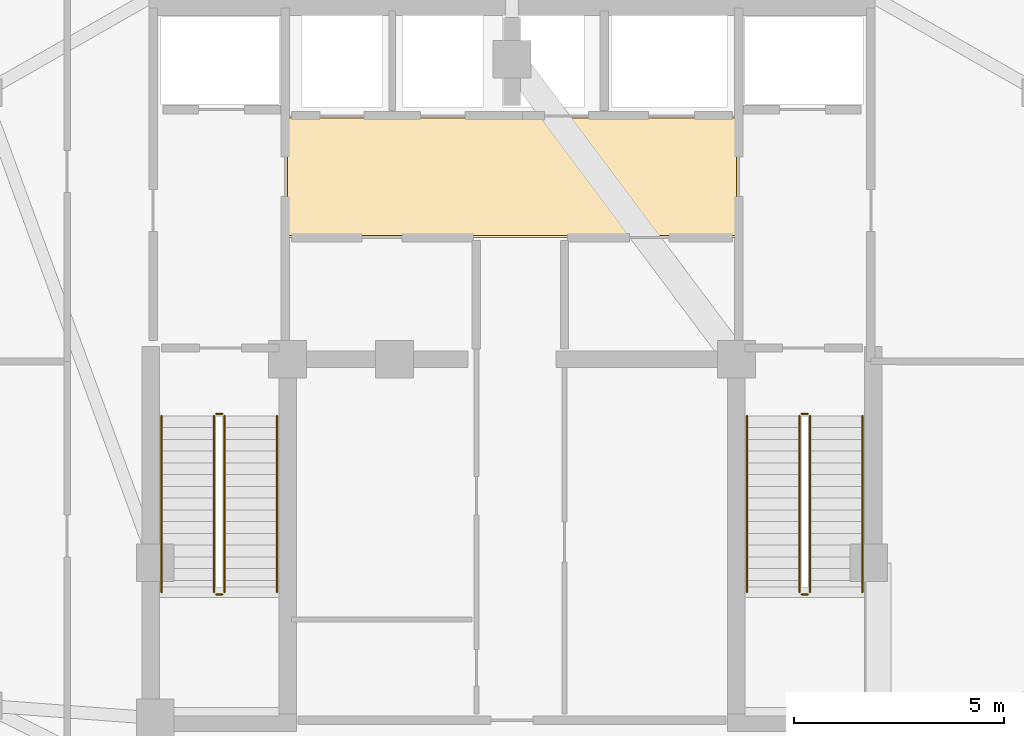
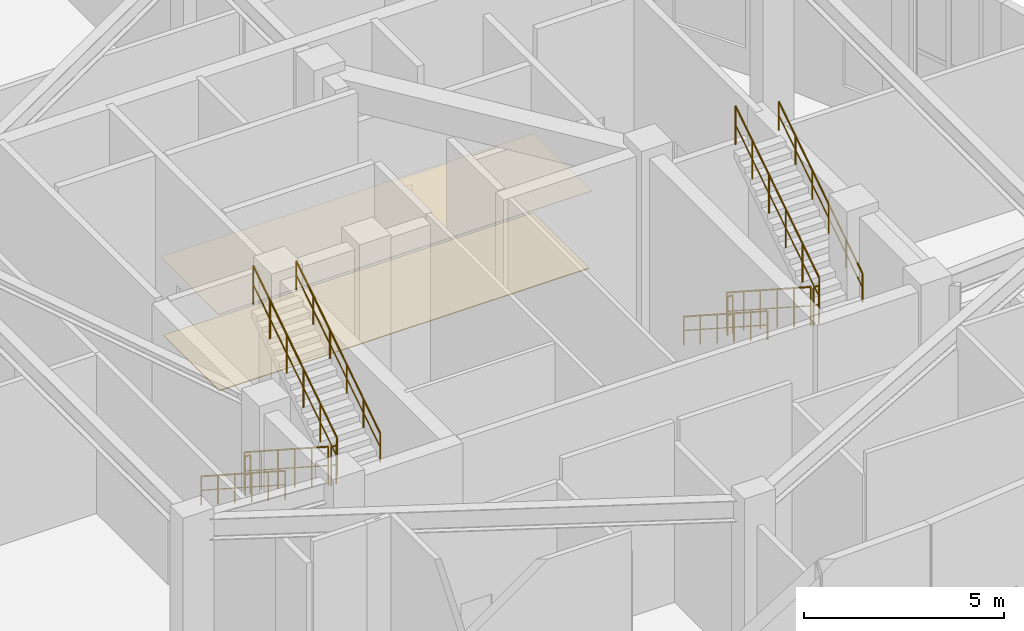
# One storey, part 16 of 16: 12 railings, 2 coverings.
"""IFC4 building model written with IfcOpenShell, lengths in metres."""

from ifc_helpers import new_model, si_unit, direction, frame, origin, origin_2d, place, context, subcontext, project, spatial, polyline, circle, outline, extrude, material, layer, layer_set, type_object, element, save


model = new_model("IFC4")

# Units and contexts
model_context = context("Model", 3, precision=1e-05, world=origin(), true_north=direction((0.0, 1.0)))
body_context = subcontext(model_context, "Body", "Model", "MODEL_VIEW")
ifc_project = project(units=[si_unit("LENGTHUNIT", "METRE"), si_unit("AREAUNIT", "SQUARE_METRE"), si_unit("VOLUMEUNIT", "CUBIC_METRE"), si_unit("PLANEANGLEUNIT", "RADIAN"), si_unit("MASSUNIT", "GRAM", prefix="KILO")], contexts=[model_context])

# Site, building, storey
site_placement = place(None, origin())
site = spatial("IfcSite", under=ifc_project, at=site_placement, CompositionType="ELEMENT")
building_placement = place(site_placement, origin())
building = spatial("IfcBuilding", under=site, at=building_placement, Name="Miruveldt Soraemaru", CompositionType="ELEMENT")
storey_placement = place(building_placement, frame((0.0, 0.0, 289.60009765625)))
storey = spatial("IfcBuildingStorey", under=building, at=storey_placement, Name="L78", CompositionType="ELEMENT", Elevation=289.60009765625)

# Coverings
ifc_material_1 = material(Name="Gypsum plasterboard lining", Category="gypsum")
ifc_layer_1 = layer(ifc_material_1, 0.02001953125, Name="Gypsum plasterboard lining", Category="gypsum")
ifc_layer_set_1 = layer_set([ifc_layer_1], Name="Gypsum plasterboard lining")
covering_type_1 = type_object("IfcCoveringType", Name="COV-CEIL-AC", PredefinedType="CEILING", material=ifc_layer_set_1)
covering_1_placement = place(storey_placement, frame((0.0, 0.0, 2.3798828125)))
element("IfcCovering", 1, at=covering_1_placement, inside=storey, type_object=covering_type_1, Name="L78 Lift Lobby Acoustic Ceiling", PredefinedType="CEILING", context=body_context, shape_type="SweptSolid", body=[
    extrude(outline(polyline([(38.60009765625, 46.949951171875), (49.39990234375, 46.949951171875), (49.39990234375, 49.85009765625), (38.60009765625, 49.85009765625), (38.60009765625, 46.949951171875)])), origin(), (0.0, 0.0, 1.0), 0.02001953125),
])
ifc_material_2 = material(Name="Precast concrete C45/55 (45 MPa)", Category="concrete")
ifc_layer_2 = layer(ifc_material_2, 0.02490234375, Name="Precast concrete C45/55 (45 MPa)", Category="concrete")
ifc_layer_set_2 = layer_set([ifc_layer_2], Name="Precast concrete C45/55 (45 MPa)")
covering_type_2 = type_object("IfcCoveringType", Name="COV-FLOR-ST", PredefinedType="FLOORING", material=ifc_layer_set_2)
covering_2_placement = place(storey_placement, origin())
element("IfcCovering", 2, at=covering_2_placement, inside=storey, type_object=covering_type_2, Name="L78 Lift Lobby Stone Flooring", PredefinedType="FLOORING", context=body_context, shape_type="SweptSolid", body=[
    extrude(outline(polyline([(38.64990234375, 47.0), (49.35009765625, 47.0), (49.35009765625, 49.800048828125), (38.64990234375, 49.800048828125), (38.64990234375, 47.0)])), origin(), (0.0, 0.0, 1.0), 0.02490234375),
])

# Railings
ifc_material_3 = material(Name="Steel S355 (355 MPa)", Category="steel")
railing_type_1 = type_object("IfcRailingType", Name="RAIL-HR-900", PredefinedType="HANDRAIL", material=ifc_material_3)
railing_1_placement = place(storey_placement, frame((35.64990234375, 42.699951171875, 0.18115234375)))
element("IfcRailing", 3, at=railing_1_placement, inside=storey, type_object=railing_type_1, Name="L78 ST-1 stair handrail 1", PredefinedType="HANDRAIL", context=body_context, shape_type="SweptSolid", body=[
    extrude(circle(Radius=0.02392578125, at=origin_2d()), frame((0.0, 0.0, 0.8759765625), z_axis=(0.0, -0.839466714631, 0.543411110511), x_axis=(1.0, 0.0, 0.0)), (0.0, 0.0, 1.0), 5.003173828125),
    extrude(circle(Radius=0.01611328125, at=origin_2d()), frame((0.0, 0.0, 0.449951171875), z_axis=(0.0, -0.839466714631, 0.543411110511), x_axis=(1.0, 0.0, 0.0)), (0.0, 0.0, 1.0), 5.003173828125),
    extrude(circle(Radius=0.02099609375, at=origin_2d()), origin(), (0.0, 0.0, 1.0), 0.851806640625),
    extrude(circle(Radius=0.02099609375, at=origin_2d()), frame((0.0, -0.840087890625, 0.543701171875)), (0.0, 0.0, 1.0), 0.851806640625),
    extrude(circle(Radius=0.02099609375, at=origin_2d()), frame((0.0, -1.679931640625, 1.08740234375)), (0.0, 0.0, 1.0), 0.851806640625),
    extrude(circle(Radius=0.02099609375, at=origin_2d()), frame((0.0, -2.52001953125, 1.63134765625)), (0.0, 0.0, 1.0), 0.851806640625),
    extrude(circle(Radius=0.02099609375, at=origin_2d()), frame((0.0, -3.35986328125, 2.175048828125)), (0.0, 0.0, 1.0), 0.851806640625),
    extrude(circle(Radius=0.02099609375, at=origin_2d()), frame((0.0, -4.199951171875, 2.71875)), (0.0, 0.0, 1.0), 0.851806640625),
])
railing_2_placement = place(storey_placement, frame((38.39990234375, 38.5, 3.0810546875)))
element("IfcRailing", 4, at=railing_2_placement, inside=storey, type_object=railing_type_1, Name="L78 ST-1 stair handrail 2", PredefinedType="HANDRAIL", context=body_context, shape_type="SweptSolid", body=[
    extrude(circle(Radius=0.02392578125, at=origin_2d()), frame((0.0, 0.0, 0.8759765625), z_axis=(0.0, 0.839466714631, 0.543411110511), x_axis=(-1.0, 0.0, 0.0)), (0.0, 0.0, 1.0), 5.003173828125),
    extrude(circle(Radius=0.01611328125, at=origin_2d()), frame((0.0, 0.0, 0.449951171875), z_axis=(0.0, 0.839466714631, 0.543411110511), x_axis=(-1.0, 0.0, 0.0)), (0.0, 0.0, 1.0), 5.003173828125),
    extrude(circle(Radius=0.02099609375, at=origin_2d()), origin(), (0.0, 0.0, 1.0), 0.851806640625),
    extrude(circle(Radius=0.02099609375, at=origin_2d()), frame((0.0, 0.840087890625, 0.543701171875)), (0.0, 0.0, 1.0), 0.851806640625),
    extrude(circle(Radius=0.02099609375, at=origin_2d()), frame((0.0, 1.679931640625, 1.08740234375)), (0.0, 0.0, 1.0), 0.851806640625),
    extrude(circle(Radius=0.02099609375, at=origin_2d()), frame((0.0, 2.52001953125, 1.63134765625)), (0.0, 0.0, 1.0), 0.851806640625),
    extrude(circle(Radius=0.02099609375, at=origin_2d()), frame((0.0, 3.35986328125, 2.175048828125)), (0.0, 0.0, 1.0), 0.851806640625),
    extrude(circle(Radius=0.02099609375, at=origin_2d()), frame((0.0, 4.199951171875, 2.71875)), (0.0, 0.0, 1.0), 0.851806640625),
])
railing_3_placement = place(storey_placement, frame((49.60009765625, 42.699951171875, 0.18115234375)))
element("IfcRailing", 5, at=railing_3_placement, inside=storey, type_object=railing_type_1, Name="L78 ST-2 stair handrail 1", PredefinedType="HANDRAIL", context=body_context, shape_type="SweptSolid", body=[
    extrude(circle(Radius=0.02392578125, at=origin_2d()), frame((0.0, 0.0, 0.8759765625), z_axis=(0.0, -0.839466714631, 0.543411110511), x_axis=(1.0, 0.0, 0.0)), (0.0, 0.0, 1.0), 5.003173828125),
    extrude(circle(Radius=0.01611328125, at=origin_2d()), frame((0.0, 0.0, 0.449951171875), z_axis=(0.0, -0.839466714631, 0.543411110511), x_axis=(1.0, 0.0, 0.0)), (0.0, 0.0, 1.0), 5.003173828125),
    extrude(circle(Radius=0.02099609375, at=origin_2d()), origin(), (0.0, 0.0, 1.0), 0.851806640625),
    extrude(circle(Radius=0.02099609375, at=origin_2d()), frame((0.0, -0.840087890625, 0.543701171875)), (0.0, 0.0, 1.0), 0.851806640625),
    extrude(circle(Radius=0.02099609375, at=origin_2d()), frame((0.0, -1.679931640625, 1.08740234375)), (0.0, 0.0, 1.0), 0.851806640625),
    extrude(circle(Radius=0.02099609375, at=origin_2d()), frame((0.0, -2.52001953125, 1.63134765625)), (0.0, 0.0, 1.0), 0.851806640625),
    extrude(circle(Radius=0.02099609375, at=origin_2d()), frame((0.0, -3.35986328125, 2.175048828125)), (0.0, 0.0, 1.0), 0.851806640625),
    extrude(circle(Radius=0.02099609375, at=origin_2d()), frame((0.0, -4.199951171875, 2.71875)), (0.0, 0.0, 1.0), 0.851806640625),
])
railing_4_placement = place(storey_placement, frame((52.35009765625, 38.5, 3.0810546875)))
element("IfcRailing", 6, at=railing_4_placement, inside=storey, type_object=railing_type_1, Name="L78 ST-2 stair handrail 2", PredefinedType="HANDRAIL", context=body_context, shape_type="SweptSolid", body=[
    extrude(circle(Radius=0.02392578125, at=origin_2d()), frame((0.0, 0.0, 0.8759765625), z_axis=(0.0, 0.839466714631, 0.543411110511), x_axis=(-1.0, 0.0, 0.0)), (0.0, 0.0, 1.0), 5.003173828125),
    extrude(circle(Radius=0.01611328125, at=origin_2d()), frame((0.0, 0.0, 0.449951171875), z_axis=(0.0, 0.839466714631, 0.543411110511), x_axis=(-1.0, 0.0, 0.0)), (0.0, 0.0, 1.0), 5.003173828125),
    extrude(circle(Radius=0.02099609375, at=origin_2d()), origin(), (0.0, 0.0, 1.0), 0.851806640625),
    extrude(circle(Radius=0.02099609375, at=origin_2d()), frame((0.0, 0.840087890625, 0.543701171875)), (0.0, 0.0, 1.0), 0.851806640625),
    extrude(circle(Radius=0.02099609375, at=origin_2d()), frame((0.0, 1.679931640625, 1.08740234375)), (0.0, 0.0, 1.0), 0.851806640625),
    extrude(circle(Radius=0.02099609375, at=origin_2d()), frame((0.0, 2.52001953125, 1.63134765625)), (0.0, 0.0, 1.0), 0.851806640625),
    extrude(circle(Radius=0.02099609375, at=origin_2d()), frame((0.0, 3.35986328125, 2.175048828125)), (0.0, 0.0, 1.0), 0.851806640625),
    extrude(circle(Radius=0.02099609375, at=origin_2d()), frame((0.0, 4.199951171875, 2.71875)), (0.0, 0.0, 1.0), 0.851806640625),
])
railing_type_2 = type_object("IfcRailingType", Name="RAIL-STGUARD-1200", PredefinedType="GUARDRAIL", material=ifc_material_3)
railing_5_placement = place(storey_placement, frame((36.89990234375, 42.699951171875, 0.18115234375)))
element("IfcRailing", 7, at=railing_5_placement, inside=storey, type_object=railing_type_2, Name="L78 ST-1 stair guard 1", PredefinedType="GUARDRAIL", context=body_context, shape_type="SweptSolid", body=[
    extrude(circle(Radius=0.02392578125, at=origin_2d()), frame((0.0, 0.0, 1.17578125), z_axis=(0.0, -0.839466714631, 0.543411110511), x_axis=(1.0, 0.0, 0.0)), (0.0, 0.0, 1.0), 5.003173828125),
    extrude(circle(Radius=0.01611328125, at=origin_2d()), frame((0.0, 0.0, 0.60009765625), z_axis=(0.0, -0.839466714631, 0.543411110511), x_axis=(1.0, 0.0, 0.0)), (0.0, 0.0, 1.0), 5.003173828125),
    extrude(circle(Radius=0.02099609375, at=origin_2d()), origin(), (0.0, 0.0, 1.0), 1.15185546875),
    extrude(circle(Radius=0.02099609375, at=origin_2d()), frame((0.0, -0.840087890625, 0.543701171875)), (0.0, 0.0, 1.0), 1.15185546875),
    extrude(circle(Radius=0.02099609375, at=origin_2d()), frame((0.0, -1.679931640625, 1.08740234375)), (0.0, 0.0, 1.0), 1.15185546875),
    extrude(circle(Radius=0.02099609375, at=origin_2d()), frame((0.0, -2.52001953125, 1.63134765625)), (0.0, 0.0, 1.0), 1.15185546875),
    extrude(circle(Radius=0.02099609375, at=origin_2d()), frame((0.0, -3.35986328125, 2.175048828125)), (0.0, 0.0, 1.0), 1.15185546875),
    extrude(circle(Radius=0.02099609375, at=origin_2d()), frame((0.0, -4.199951171875, 2.71875)), (0.0, 0.0, 1.0), 1.15185546875),
])
railing_6_placement = place(storey_placement, frame((36.949951171875, 38.449951171875, 2.89990234375)))
element("IfcRailing", 8, at=railing_6_placement, inside=storey, type_object=railing_type_2, Name="L78 ST-1 stair guard 2", PredefinedType="GUARDRAIL", context=body_context, shape_type="SweptSolid", body=[
    extrude(circle(Radius=0.02392578125, at=origin_2d()), frame((0.0, 0.0, 1.17578125), z_axis=(1.0, 0.0, 0.0), x_axis=(0.0, 1.0, 0.0)), (0.0, 0.0, 1.0), 0.150146484375),
    extrude(circle(Radius=0.01611328125, at=origin_2d()), frame((0.0, 0.0, 0.60009765625), z_axis=(1.0, 0.0, 0.0), x_axis=(0.0, 1.0, 0.0)), (0.0, 0.0, 1.0), 0.150146484375),
    extrude(circle(Radius=0.02099609375, at=origin_2d()), origin(), (0.0, 0.0, 1.0), 1.15185546875),
    extrude(circle(Radius=0.02099609375, at=origin_2d()), frame((0.150146484375, 0.0, 0.0)), (0.0, 0.0, 1.0), 1.15185546875),
])
railing_7_placement = place(storey_placement, frame((37.14990234375, 38.5, 3.0810546875)))
element("IfcRailing", 9, at=railing_7_placement, inside=storey, type_object=railing_type_2, Name="L78 ST-1 stair guard 3", PredefinedType="GUARDRAIL", context=body_context, shape_type="SweptSolid", body=[
    extrude(circle(Radius=0.02392578125, at=origin_2d()), frame((0.0, 0.0, 1.17578125), z_axis=(0.0, 0.839466714631, 0.543411110511), x_axis=(-1.0, 0.0, 0.0)), (0.0, 0.0, 1.0), 5.003173828125),
    extrude(circle(Radius=0.01611328125, at=origin_2d()), frame((0.0, 0.0, 0.60009765625), z_axis=(0.0, 0.839466714631, 0.543411110511), x_axis=(-1.0, 0.0, 0.0)), (0.0, 0.0, 1.0), 5.003173828125),
    extrude(circle(Radius=0.02099609375, at=origin_2d()), origin(), (0.0, 0.0, 1.0), 1.15185546875),
    extrude(circle(Radius=0.02099609375, at=origin_2d()), frame((0.0, 0.840087890625, 0.543701171875)), (0.0, 0.0, 1.0), 1.15185546875),
    extrude(circle(Radius=0.02099609375, at=origin_2d()), frame((0.0, 1.679931640625, 1.08740234375)), (0.0, 0.0, 1.0), 1.15185546875),
    extrude(circle(Radius=0.02099609375, at=origin_2d()), frame((0.0, 2.52001953125, 1.63134765625)), (0.0, 0.0, 1.0), 1.15185546875),
    extrude(circle(Radius=0.02099609375, at=origin_2d()), frame((0.0, 3.35986328125, 2.175048828125)), (0.0, 0.0, 1.0), 1.15185546875),
    extrude(circle(Radius=0.02099609375, at=origin_2d()), frame((0.0, 4.199951171875, 2.71875)), (0.0, 0.0, 1.0), 1.15185546875),
])
railing_8_placement = place(storey_placement, frame((36.949951171875, 42.75, 0.0)))
element("IfcRailing", 10, at=railing_8_placement, inside=storey, type_object=railing_type_2, Name="L78 ST-1 stair guard 4", PredefinedType="GUARDRAIL", context=body_context, shape_type="SweptSolid", body=[
    extrude(circle(Radius=0.02392578125, at=origin_2d()), frame((0.0, 0.0, 1.17578125), z_axis=(1.0, 0.0, 0.0), x_axis=(0.0, 1.0, 0.0)), (0.0, 0.0, 1.0), 0.150146484375),
    extrude(circle(Radius=0.01611328125, at=origin_2d()), frame((0.0, 0.0, 0.60009765625), z_axis=(1.0, 0.0, 0.0), x_axis=(0.0, 1.0, 0.0)), (0.0, 0.0, 1.0), 0.150146484375),
    extrude(circle(Radius=0.02099609375, at=origin_2d()), origin(), (0.0, 0.0, 1.0), 1.15185546875),
    extrude(circle(Radius=0.02099609375, at=origin_2d()), frame((0.150146484375, 0.0, 0.0)), (0.0, 0.0, 1.0), 1.15185546875),
])
railing_9_placement = place(storey_placement, frame((50.85009765625, 42.699951171875, 0.18115234375)))
element("IfcRailing", 11, at=railing_9_placement, inside=storey, type_object=railing_type_2, Name="L78 ST-2 stair guard 1", PredefinedType="GUARDRAIL", context=body_context, shape_type="SweptSolid", body=[
    extrude(circle(Radius=0.02392578125, at=origin_2d()), frame((0.0, 0.0, 1.17578125), z_axis=(0.0, -0.839466714631, 0.543411110511), x_axis=(1.0, 0.0, 0.0)), (0.0, 0.0, 1.0), 5.003173828125),
    extrude(circle(Radius=0.01611328125, at=origin_2d()), frame((0.0, 0.0, 0.60009765625), z_axis=(0.0, -0.839466714631, 0.543411110511), x_axis=(1.0, 0.0, 0.0)), (0.0, 0.0, 1.0), 5.003173828125),
    extrude(circle(Radius=0.02099609375, at=origin_2d()), origin(), (0.0, 0.0, 1.0), 1.15185546875),
    extrude(circle(Radius=0.02099609375, at=origin_2d()), frame((0.0, -0.840087890625, 0.543701171875)), (0.0, 0.0, 1.0), 1.15185546875),
    extrude(circle(Radius=0.02099609375, at=origin_2d()), frame((0.0, -1.679931640625, 1.08740234375)), (0.0, 0.0, 1.0), 1.15185546875),
    extrude(circle(Radius=0.02099609375, at=origin_2d()), frame((0.0, -2.52001953125, 1.63134765625)), (0.0, 0.0, 1.0), 1.15185546875),
    extrude(circle(Radius=0.02099609375, at=origin_2d()), frame((0.0, -3.35986328125, 2.175048828125)), (0.0, 0.0, 1.0), 1.15185546875),
    extrude(circle(Radius=0.02099609375, at=origin_2d()), frame((0.0, -4.199951171875, 2.71875)), (0.0, 0.0, 1.0), 1.15185546875),
])
railing_10_placement = place(storey_placement, frame((50.89990234375, 38.449951171875, 2.89990234375)))
element("IfcRailing", 12, at=railing_10_placement, inside=storey, type_object=railing_type_2, Name="L78 ST-2 stair guard 2", PredefinedType="GUARDRAIL", context=body_context, shape_type="SweptSolid", body=[
    extrude(circle(Radius=0.02392578125, at=origin_2d()), frame((0.0, 0.0, 1.17578125), z_axis=(1.0, 0.0, 0.0), x_axis=(0.0, 1.0, 0.0)), (0.0, 0.0, 1.0), 0.150146484375),
    extrude(circle(Radius=0.01611328125, at=origin_2d()), frame((0.0, 0.0, 0.60009765625), z_axis=(1.0, 0.0, 0.0), x_axis=(0.0, 1.0, 0.0)), (0.0, 0.0, 1.0), 0.150146484375),
    extrude(circle(Radius=0.02099609375, at=origin_2d()), origin(), (0.0, 0.0, 1.0), 1.15185546875),
    extrude(circle(Radius=0.02099609375, at=origin_2d()), frame((0.150146484375, 0.0, 0.0)), (0.0, 0.0, 1.0), 1.15185546875),
])
railing_11_placement = place(storey_placement, frame((51.10009765625, 38.5, 3.0810546875)))
element("IfcRailing", 13, at=railing_11_placement, inside=storey, type_object=railing_type_2, Name="L78 ST-2 stair guard 3", PredefinedType="GUARDRAIL", context=body_context, shape_type="SweptSolid", body=[
    extrude(circle(Radius=0.02392578125, at=origin_2d()), frame((0.0, 0.0, 1.17578125), z_axis=(0.0, 0.839466714631, 0.543411110511), x_axis=(-1.0, 0.0, 0.0)), (0.0, 0.0, 1.0), 5.003173828125),
    extrude(circle(Radius=0.01611328125, at=origin_2d()), frame((0.0, 0.0, 0.60009765625), z_axis=(0.0, 0.839466714631, 0.543411110511), x_axis=(-1.0, 0.0, 0.0)), (0.0, 0.0, 1.0), 5.003173828125),
    extrude(circle(Radius=0.02099609375, at=origin_2d()), origin(), (0.0, 0.0, 1.0), 1.15185546875),
    extrude(circle(Radius=0.02099609375, at=origin_2d()), frame((0.0, 0.840087890625, 0.543701171875)), (0.0, 0.0, 1.0), 1.15185546875),
    extrude(circle(Radius=0.02099609375, at=origin_2d()), frame((0.0, 1.679931640625, 1.08740234375)), (0.0, 0.0, 1.0), 1.15185546875),
    extrude(circle(Radius=0.02099609375, at=origin_2d()), frame((0.0, 2.52001953125, 1.63134765625)), (0.0, 0.0, 1.0), 1.15185546875),
    extrude(circle(Radius=0.02099609375, at=origin_2d()), frame((0.0, 3.35986328125, 2.175048828125)), (0.0, 0.0, 1.0), 1.15185546875),
    extrude(circle(Radius=0.02099609375, at=origin_2d()), frame((0.0, 4.199951171875, 2.71875)), (0.0, 0.0, 1.0), 1.15185546875),
])
railing_12_placement = place(storey_placement, frame((50.89990234375, 42.75, 0.0)))
element("IfcRailing", 14, at=railing_12_placement, inside=storey, type_object=railing_type_2, Name="L78 ST-2 stair guard 4", PredefinedType="GUARDRAIL", context=body_context, shape_type="SweptSolid", body=[
    extrude(circle(Radius=0.02392578125, at=origin_2d()), frame((0.0, 0.0, 1.17578125), z_axis=(1.0, 0.0, 0.0), x_axis=(0.0, 1.0, 0.0)), (0.0, 0.0, 1.0), 0.150146484375),
    extrude(circle(Radius=0.01611328125, at=origin_2d()), frame((0.0, 0.0, 0.60009765625), z_axis=(1.0, 0.0, 0.0), x_axis=(0.0, 1.0, 0.0)), (0.0, 0.0, 1.0), 0.150146484375),
    extrude(circle(Radius=0.02099609375, at=origin_2d()), origin(), (0.0, 0.0, 1.0), 1.15185546875),
    extrude(circle(Radius=0.02099609375, at=origin_2d()), frame((0.150146484375, 0.0, 0.0)), (0.0, 0.0, 1.0), 1.15185546875),
])

save(model, "model.ifc")
